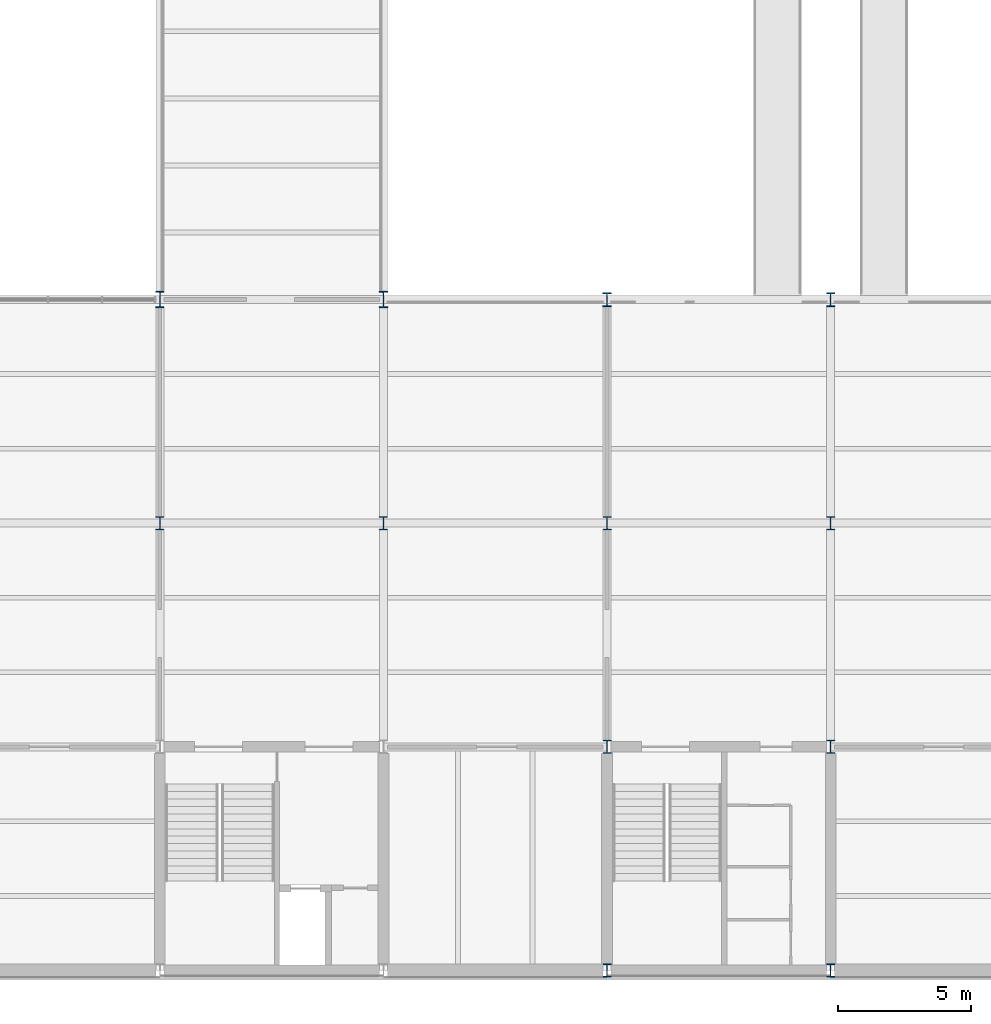
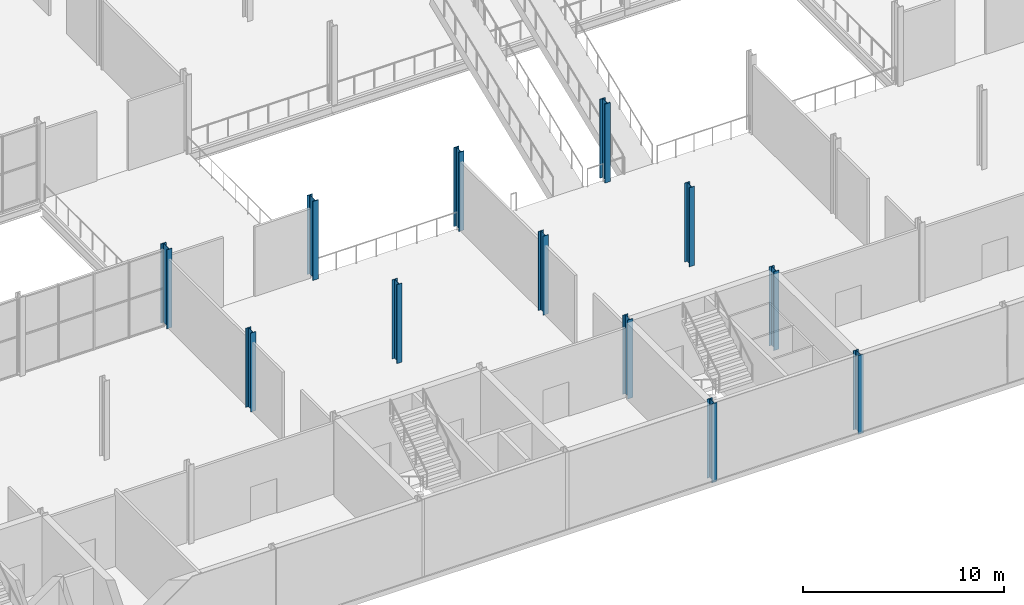
# One storey, part 2 of 61: 12 columns.
"""IFC4 building model written with IfcOpenShell, lengths in metres."""

from ifc_helpers import new_model, si_unit, direction, frame, origin, origin_2d, place, context, subcontext, project, spatial, i_section, extrude, material, material_profile, profile_set, type_object, element, save


model = new_model("IFC4")

# Units and contexts
model_context = context("Model", 3, precision=1e-05, world=origin(), true_north=direction((0.0, 1.0)))
body_context = subcontext(model_context, "Body", "Model", "MODEL_VIEW")
ifc_project = project(units=[si_unit("LENGTHUNIT", "METRE"), si_unit("AREAUNIT", "SQUARE_METRE"), si_unit("VOLUMEUNIT", "CUBIC_METRE"), si_unit("PLANEANGLEUNIT", "RADIAN"), si_unit("MASSUNIT", "GRAM", prefix="KILO")], contexts=[model_context])

# Site, building, storey
site_placement = place(None, origin())
site = spatial("IfcSite", under=ifc_project, at=site_placement, CompositionType="ELEMENT")
building_placement = place(site_placement, origin())
building = spatial("IfcBuilding", under=site, at=building_placement, Name="Galleria Vessillo Department Store", CompositionType="ELEMENT")
storey_placement = place(building_placement, frame((0.0, 0.0, 11.39990234375)))
storey = spatial("IfcBuildingStorey", under=building, at=storey_placement, Name="L02", CompositionType="ELEMENT", Elevation=11.39990234375)

# Columns
ifc_material_1 = material(Name="Steel S355 J2", Category="steel")
ifc_material_profile_1 = material_profile(ifc_material_1, i_section(OverallWidth=0.300048828125, OverallDepth=0.5, WebThickness=0.014404296875, FlangeThickness=0.028076171875, FilletRadius=0.027099609375, at=origin_2d()), Name="HEB 500")
ifc_profile_set_1 = profile_set([ifc_material_profile_1], Name="Steel S355 J2")
column_type_1 = type_object("IfcColumnType", Name="Steel column HEB 500 CP1", PredefinedType="COLUMN", material=ifc_profile_set_1)
for number, where, z_axis, x_axis, name in (
    (1, (33.60009765625, 16.800048828125, 0.0), (0.0, 0.0, 1.0), (1.0, 0.0, 0.0), "S-COL-L02-5-C"),
    (2, (42.0, 16.800048828125, 0.0), (0.0, 0.0, 1.0), (1.0, 0.0, 0.0), "S-COL-L02-6-C"),
    (3, (50.39990234375, 0.0, 0.0), (0.0, 0.0, 1.0), (1.0, 0.0, 0.0), "S-COL-L02-7-A"),
    (4, (50.39990234375, 8.39990234375, 0.0), (0.0, 0.0, 1.0), (1.0, 0.0, 0.0), "S-COL-L02-7-B"),
    (5, (50.39990234375, 16.800048828125, 0.0), (0.0, 0.0, 1.0), (1.0, 0.0, 0.0), "S-COL-L02-7-C"),
    (6, (58.800048828125, 0.0, 0.0), (0.0, 0.0, 1.0), (1.0, 0.0, 0.0), "S-COL-L02-8-A"),
    (7, (58.800048828125, 8.39990234375, 0.0), (0.0, 0.0, 1.0), (1.0, 0.0, 0.0), "S-COL-L02-8-B"),
    (8, (58.800048828125, 16.800048828125, 0.0), (0.0, 0.0, 1.0), (1.0, 0.0, 0.0), "S-COL-L02-8-C"),
):
    element("IfcColumn", number, at=place(storey_placement, frame(where, z_axis=z_axis, x_axis=x_axis)), inside=storey, type_object=column_type_1, Name=name, PredefinedType="COLUMN", context=body_context, shape_type="SweptSolid", body=[
        extrude(i_section(OverallWidth=0.300048828125, OverallDepth=0.5, WebThickness=0.014404296875, FlangeThickness=0.028076171875, FilletRadius=0.027099609375, at=origin_2d()), origin(), (0.0, 0.0, 1.0), 4.800048828125),
    ])
ifc_material_2 = material(Name="Steel S355 J2", Category="steel")
ifc_material_profile_2 = material_profile(ifc_material_2, i_section(OverallWidth=0.305908203125, OverallDepth=0.52392578125, WebThickness=0.02099609375, FlangeThickness=0.0400390625, FilletRadius=0.027099609375, at=origin_2d()), Name="HEM 500")
ifc_profile_set_2 = profile_set([ifc_material_profile_2], Name="Steel S355 J2")
column_type_2 = type_object("IfcColumnType", Name="Steel column HEM 500 CV1", PredefinedType="COLUMN", material=ifc_profile_set_2)
for number, where, z_axis, x_axis, name in (
    (9, (50.39990234375, 25.199951171875, 0.0), (0.0, 0.0, 1.0), (1.0, 0.0, 0.0), "S-COL-L02-7-D"),
    (10, (58.800048828125, 25.199951171875, 0.0), (0.0, 0.0, 1.0), (1.0, 0.0, 0.0), "S-COL-L02-8-D"),
):
    element("IfcColumn", number, at=place(storey_placement, frame(where, z_axis=z_axis, x_axis=x_axis)), inside=storey, type_object=column_type_2, Name=name, PredefinedType="COLUMN", context=body_context, shape_type="SweptSolid", body=[
        extrude(i_section(OverallWidth=0.305908203125, OverallDepth=0.52392578125, WebThickness=0.02099609375, FlangeThickness=0.0400390625, FilletRadius=0.027099609375, at=origin_2d()), origin(), (0.0, 0.0, 1.0), 4.800048828125),
    ])
ifc_material_3 = material(Name="Steel S355 J2", Category="steel")
ifc_material_profile_3 = material_profile(ifc_material_3, i_section(OverallWidth=0.304931640625, OverallDepth=0.6201171875, WebThickness=0.02099609375, FlangeThickness=0.0400390625, FilletRadius=0.027099609375, at=origin_2d()), Name="HEM 600")
ifc_profile_set_3 = profile_set([ifc_material_profile_3], Name="Steel S355 J2")
column_type_3 = type_object("IfcColumnType", Name="Steel column HEM 600 CV2", PredefinedType="COLUMN", material=ifc_profile_set_3)
for number, where, z_axis, x_axis, name in (
    (11, (33.60009765625, 25.199951171875, 0.0), (0.0, 0.0, 1.0), (1.0, 0.0, 0.0), "S-COL-L02-5-D"),
    (12, (42.0, 25.199951171875, 0.0), (0.0, 0.0, 1.0), (1.0, 0.0, 0.0), "S-COL-L02-6-D"),
):
    element("IfcColumn", number, at=place(storey_placement, frame(where, z_axis=z_axis, x_axis=x_axis)), inside=storey, type_object=column_type_3, Name=name, PredefinedType="COLUMN", context=body_context, shape_type="SweptSolid", body=[
        extrude(i_section(OverallWidth=0.304931640625, OverallDepth=0.6201171875, WebThickness=0.02099609375, FlangeThickness=0.0400390625, FilletRadius=0.027099609375, at=origin_2d()), origin(), (0.0, 0.0, 1.0), 4.800048828125),
    ])

save(model, "model.ifc")
